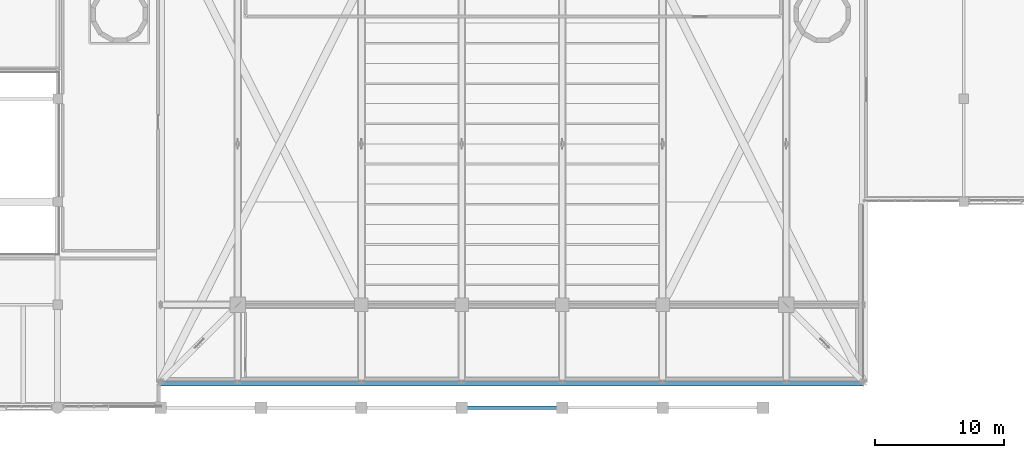
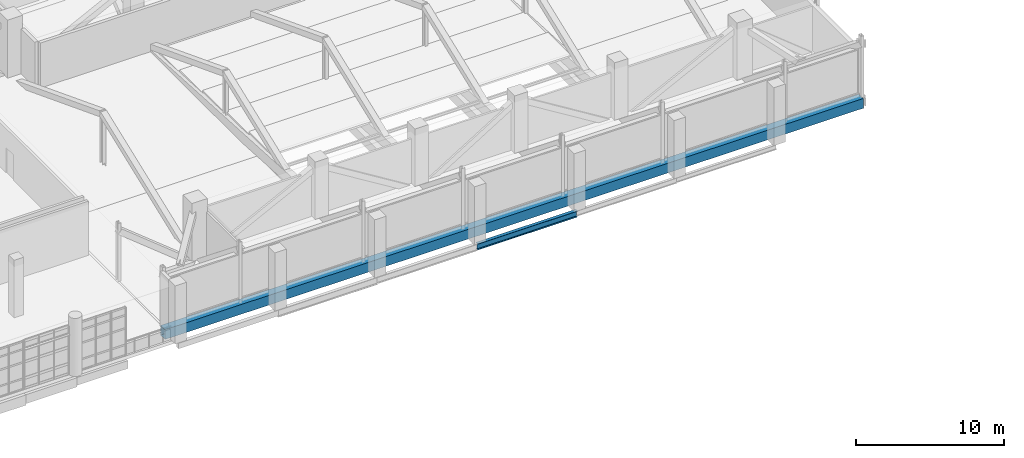
# One storey, part 41 of 127: 2 beams.
"""IFC4 building model written with IfcOpenShell, lengths in metres."""

from ifc_helpers import new_model, si_unit, derived_unit, direction, frame, origin, origin_2d, place, context, subcontext, project, spatial, hollow_rectangle, i_section, extrude, material, material_profile, profile_set, type_object, element, save


model = new_model("IFC4")

# Units and contexts
model_context = context("Model", 3, precision=1e-05, world=origin(), true_north=direction((0.0, 1.0)))
body_context = subcontext(model_context, "Body", "Model", "MODEL_VIEW")
ifc_project = project(units=[si_unit("LENGTHUNIT", "METRE"), si_unit("AREAUNIT", "SQUARE_METRE"), si_unit("VOLUMEUNIT", "CUBIC_METRE"), si_unit("PLANEANGLEUNIT", "RADIAN"), si_unit("MASSUNIT", "GRAM", prefix="KILO"), derived_unit("THERMALTRANSMITTANCEUNIT", [(si_unit("POWERUNIT", "WATT"), 1), (si_unit("LENGTHUNIT", "METRE"), -2), (si_unit("THERMODYNAMICTEMPERATUREUNIT", "KELVIN"), -1)])], contexts=[model_context])

# Site, building, storey
site_placement = place(None, origin())
site = spatial("IfcSite", under=ifc_project, at=site_placement, CompositionType="ELEMENT")
building_placement = place(site_placement, origin())
building = spatial("IfcBuilding", under=site, at=building_placement, Name="Nallur Shell Playhouse", CompositionType="ELEMENT")
storey_placement = place(building_placement, frame((0.0, 0.0, 5.39990234375)))
storey = spatial("IfcBuildingStorey", under=building, at=storey_placement, Name="L02", CompositionType="ELEMENT", Elevation=5.39990234375)

# Beams
ifc_material = material(Name="Steel E350", Category="steel")
ifc_material_profile_1 = material_profile(ifc_material, i_section(OverallWidth=0.25, OverallDepth=0.5, WebThickness=0.010009765625, FlangeThickness=0.0146484375, FilletRadius=0.014892578125, at=origin_2d()), Name="ISWB 500")
ifc_profile_set_1 = profile_set([ifc_material_profile_1], Name="Steel E350")
beam_type_1 = type_object("IfcBeamType", Name="BM-ST-ISWB500", PredefinedType="BEAM", material=ifc_profile_set_1)
beam_1_placement = place(storey_placement, frame((87.39990234375, 8.0, -0.52978515625), z_axis=(1.0, 0.0, 0.0), x_axis=(0.0, 1.0, 0.0)))
element("IfcBeam", 1, at=beam_1_placement, inside=storey, type_object=beam_type_1, Name="L02 girder X-A-323", PredefinedType="BEAM", context=body_context, shape_type="SweptSolid", body=[
    extrude(i_section(OverallWidth=0.25, OverallDepth=0.5, WebThickness=0.010009765625, FlangeThickness=0.0146484375, FilletRadius=0.014892578125, at=origin_2d()), origin(), (0.0, 0.0, 1.0), 7.800048828125),
])
ifc_material_profile_2 = material_profile(ifc_material, hollow_rectangle(XDim=0.60009765625, YDim=0.800048828125, WallThickness=0.02490234375, at=origin_2d()), Name="BOX 600x800x25")
ifc_profile_set_2 = profile_set([ifc_material_profile_2], Name="Steel E350")
beam_type_2 = type_object("IfcBeamType", Name="BM-TT-CHORD", PredefinedType="BEAM", material=ifc_profile_set_2)
beam_2_placement = place(storey_placement, frame((64.0, 10.0, -0.679931640625), z_axis=(1.0, 0.0, 0.0), x_axis=(0.0, 1.0, 0.0)))
element("IfcBeam", 2, at=beam_2_placement, inside=storey, type_object=beam_type_2, Name="Gold box perimeter chord L02-S1", PredefinedType="BEAM", context=body_context, shape_type="SweptSolid", body=[
    extrude(hollow_rectangle(XDim=0.60009765625, YDim=0.800048828125, WallThickness=0.02490234375, at=origin_2d()), origin(), (0.0, 0.0, 1.0), 54.60009765625),
])

save(model, "model.ifc")
